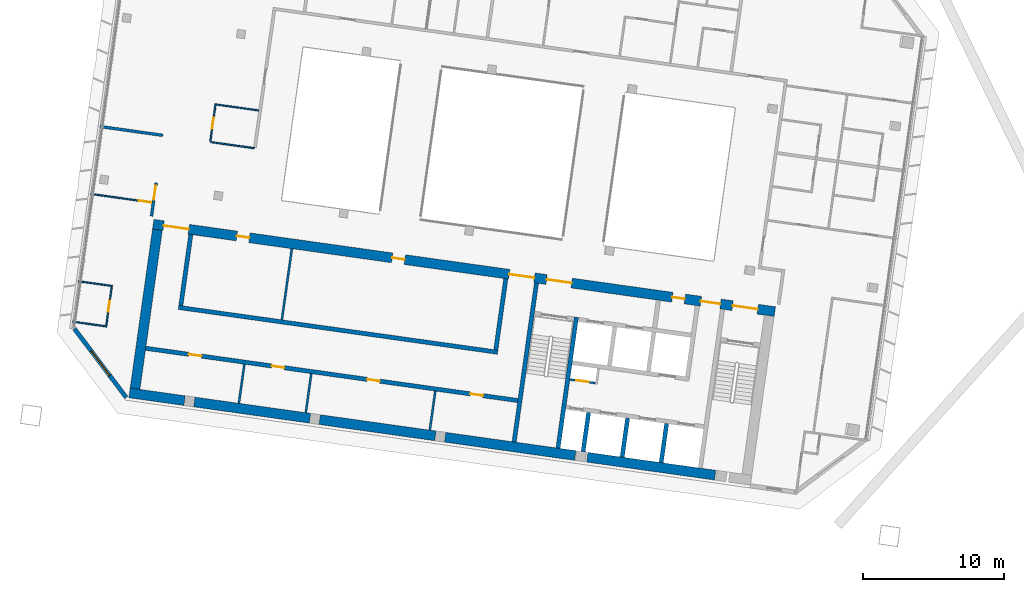
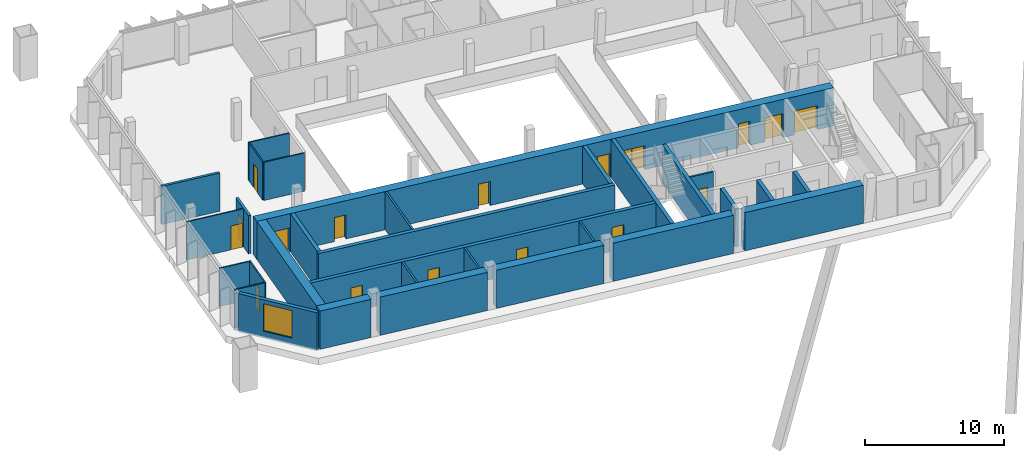
# One storey, part 16 of 26: 31 walls, 17 doors, 1 window, 18 openings.
"""IFC4 building model written with IfcOpenShell, lengths in metres."""

from ifc_helpers import new_model, si_unit, direction, frame, frame_2d, origin, place, context, subcontext, project, spatial, rectangle, extrude, material, layer, layer_set, type_object, element, fill, save


model = new_model("IFC4")

# Units and contexts
model_context = context("Model", 3, precision=1e-05, world=origin(), true_north=direction((0.0, 1.0)))
body_context = subcontext(model_context, "Body", "Model", "MODEL_VIEW")
ifc_project = project(units=[si_unit("LENGTHUNIT", "METRE"), si_unit("AREAUNIT", "SQUARE_METRE"), si_unit("VOLUMEUNIT", "CUBIC_METRE"), si_unit("PLANEANGLEUNIT", "RADIAN"), si_unit("MASSUNIT", "GRAM", prefix="KILO")], contexts=[model_context])

# Site, building, storey
site_placement = place(None, origin())
site = spatial("IfcSite", under=ifc_project, at=site_placement, CompositionType="ELEMENT")
building_placement = place(site_placement, origin())
building = spatial("IfcBuilding", under=site, at=building_placement, Name="Mirante Cascada Hotel Towers", CompositionType="ELEMENT")
storey_placement = place(building_placement, frame((0.0, 0.0, 203.0)))
storey = spatial("IfcBuildingStorey", under=building, at=storey_placement, Name="L48", CompositionType="ELEMENT", Elevation=203.0)

# Wall
ifc_material_1 = material(Name="Fire-rated plasterboard on metal studs")
ifc_layer_1 = layer(ifc_material_1, 0.2)
ifc_layer_set_1 = layer_set([ifc_layer_1], Name="Compartment wall 200 EI 120")
wall_type_1 = type_object("IfcWallType", Name="Compartment wall 200 EI 120", PredefinedType="PARTITIONING", material=ifc_layer_set_1)
wall_1_placement = place(storey_placement, frame((-83.4745, 5.5153, 0.0), z_axis=(0.0, 0.0, 1.0), x_axis=(0.9902705, -0.1391561, 0.0)))
element("IfcWall", 1, at=wall_1_placement, inside=storey, type_object=wall_type_1, Name="Wall 1-L48-10", PredefinedType="PARTITIONING", context=body_context, shape_type="SweptSolid", body=[
    extrude(rectangle(XDim=4.5, YDim=0.2, at=frame_2d((2.25, 0.0))), origin(), (0.0, 0.0, 1.0), 3.35),
])

# Wall, opening, door
wall_2_placement = place(storey_placement, frame((-79.8255, -0.8545, 0.0), z_axis=(0.0, 0.0, 1.0), x_axis=(0.1391635, 0.9902694, 0.0)))
wall_2 = element("IfcWall", 2, at=wall_2_placement, inside=storey, type_object=wall_type_1, Name="Wall 1-L48-55", PredefinedType="PARTITIONING", context=body_context, shape_type="SweptSolid", body=[
    extrude(rectangle(XDim=2.4001, YDim=0.2, at=frame_2d((1.2, 0.0))), origin(), (0.0, 0.0, 1.0), 3.35),
])
opening_1_placement = place(wall_2_placement, frame((1.1833, 0.0, 0.0)))
opening_1 = element("IfcOpeningElement", 3, at=opening_1_placement, cuts=wall_2, Name="Opening D1-L48-33", PredefinedType="OPENING", context=body_context, shape_type="SweptSolid", body=[
    extrude(rectangle(XDim=1.0, YDim=2.1, at=frame_2d((0.5, 1.05))), frame((0.0, 0.1, 0.0), z_axis=(0.0, -1.0, 0.0), x_axis=(1.0, 0.0, 0.0)), (0.0, 0.0, 1.0), 0.2),
])
ifc_material_2 = material(Name="Fire-rated timber door leaf", Category="wood")
door_type_1 = type_object("IfcDoorType", Name="Entrance door DG1 1000x2100 EI 60", OperationType="SINGLE_SWING_LEFT", PredefinedType="DOOR", material=ifc_material_2)
door_1_placement = place(opening_1_placement, origin())
door_1 = element("IfcDoor", 4, at=door_1_placement, inside=storey, type_object=door_type_1, Name="Door D1-L48-33", OperationType="SINGLE_SWING_LEFT", OverallHeight=2.1, OverallWidth=1.0, PredefinedType="DOOR", context=body_context, shape_type="SweptSolid", body=[
    extrude(rectangle(XDim=1.0, YDim=2.1, at=frame_2d((0.5, 1.05))), frame((0.0, 0.025, 0.0), z_axis=(0.0, -1.0, 0.0), x_axis=(1.0, 0.0, 0.0)), (0.0, 0.0, 1.0), 0.05),
])
fill(opening_1, door_1)

ifc_material_3 = material(Name="Masonry block", Category="masonry")
ifc_layer_2 = layer(ifc_material_3, 0.15)
ifc_layer_set_2 = layer_set([ifc_layer_2], Name="Core room partition 150 block EI 30")
wall_type_2 = type_object("IfcWallType", Name="Core room partition 150 block EI 30", PredefinedType="PARTITIONING", material=ifc_layer_set_2)
wall_3_placement = place(storey_placement, frame((-48.2933, -12.7083, 0.0), z_axis=(0.0, 0.0, 1.0), x_axis=(-0.990268, 0.1391734, 0.0)))
wall_3 = element("IfcWall", 5, at=wall_3_placement, inside=storey, type_object=wall_type_2, Name="Core wall partition T1 L48 3", PredefinedType="PARTITIONING", context=body_context, shape_type="SweptSolid", body=[
    extrude(rectangle(XDim=1.8251, YDim=0.15, at=frame_2d((0.9126, 0.0))), origin(), (0.0, 0.0, 1.0), 3.35),
])
opening_2_placement = place(wall_3_placement, frame((0.4625, 0.0, 0.0)))
opening_2 = element("IfcOpeningElement", 6, at=opening_2_placement, cuts=wall_3, Name="Opening D1-48-C15", PredefinedType="OPENING", context=body_context, shape_type="SweptSolid", body=[
    extrude(rectangle(XDim=0.9, YDim=2.1, at=frame_2d((0.45, 1.05))), frame((0.0, 0.075, 0.0), z_axis=(0.0, -1.0, 0.0), x_axis=(1.0, 0.0, 0.0)), (0.0, 0.0, 1.0), 0.15),
])
ifc_material_4 = material(Name="Hollow metal fire door leaf")
door_type_2 = type_object("IfcDoorType", Name="Fire door 900x2100 FD60", OperationType="NOTDEFINED", PredefinedType="DOOR", material=ifc_material_4)
door_2_placement = place(opening_2_placement, origin())
door_2 = element("IfcDoor", 7, at=door_2_placement, inside=storey, type_object=door_type_2, Name="Riser door T1 L48 15", OperationType="SINGLE_SWING_LEFT", OverallHeight=2.1, OverallWidth=0.9, PredefinedType="DOOR", context=body_context, shape_type="SweptSolid", body=[
    extrude(rectangle(XDim=0.9, YDim=2.1, at=frame_2d((0.45, 1.05))), frame((0.0, 0.025, 0.0), z_axis=(0.0, -1.0, 0.0), x_axis=(1.0, 0.0, 0.0)), (0.0, 0.0, 1.0), 0.05),
])
fill(opening_2, door_2)

# Walls
wall_4_placement = place(storey_placement, frame((-60.0485, -16.0548, 0.0), z_axis=(0.0, 0.0, 1.0), x_axis=(0.139181, 0.990267, 0.0)))
element("IfcWall", 8, at=wall_4_placement, inside=storey, type_object=wall_type_2, Name="Core wall partition T1 L48 5", PredefinedType="PARTITIONING", context=body_context, shape_type="SweptSolid", body=[
    extrude(rectangle(XDim=2.8, YDim=0.15, at=frame_2d((1.4, 0.0))), origin(), (0.0, 0.0, 1.0), 3.35),
])
for number, where, z_axis, x_axis, name in (
    (9, (-68.8619, -14.8162, 0.0), (0.0, 0.0, 1.0), (0.139176, 0.9902677, 0.0), "Core wall partition T1 L48 6"),
    (10, (-73.6152, -14.1482, 0.0), (0.0, 0.0, 1.0), (0.139176, 0.9902677, 0.0), "Core wall partition T1 L48 7"),
):
    element("IfcWall", number, at=place(storey_placement, frame(where, z_axis=z_axis, x_axis=x_axis)), inside=storey, type_object=wall_type_2, Name=name, PredefinedType="PARTITIONING", context=body_context, shape_type="SweptSolid", body=[
        extrude(rectangle(XDim=2.8001, YDim=0.15, at=frame_2d((1.4, 0.0))), origin(), (0.0, 0.0, 1.0), 3.35),
    ])
wall_5_placement = place(storey_placement, frame((-70.5598, -8.2157, 0.0), z_axis=(0.0, 0.0, 1.0), x_axis=(0.1391755, 0.9902677, 0.0)))
element("IfcWall", 11, at=wall_5_placement, inside=storey, type_object=wall_type_2, Name="Core wall partition T1 L48 8", PredefinedType="PARTITIONING", context=body_context, shape_type="SweptSolid", body=[
    extrude(rectangle(XDim=5.1, YDim=0.15, at=frame_2d((2.55, 0.0))), origin(), (0.0, 0.0, 1.0), 3.35),
])

# Wall, openings, doors
ifc_material_5 = material(Name="Masonry block", Category="masonry")
ifc_layer_3 = layer(ifc_material_5, 0.3)
ifc_layer_set_3 = layer_set([ifc_layer_3], Name="Core wall 300 block EI 120")
wall_type_3 = type_object("IfcWallType", Name="Core wall 300 block EI 120", PredefinedType="PARTITIONING", material=ifc_layer_set_3)
wall_6_placement = place(storey_placement, frame((-53.7953, -13.9547, 0.0), z_axis=(0.0, 0.0, 1.0), x_axis=(-0.9902677, 0.1391758, 0.0)))
wall_6 = element("IfcWall", 12, at=wall_6_placement, inside=storey, type_object=wall_type_3, Name="Core wall partition T1 L48 4", PredefinedType="PARTITIONING", context=body_context, shape_type="SweptSolid", body=[
    extrude(rectangle(XDim=26.7001, YDim=0.3, at=frame_2d((13.35, 0.0))), origin(), (0.0, 0.0, 1.0), 3.35),
])
opening_3_placement = place(wall_6_placement, frame((2.5, 0.0, 0.0)))
opening_3 = element("IfcOpeningElement", 13, at=opening_3_placement, cuts=wall_6, Name="Opening D1-48-C17", PredefinedType="OPENING", context=body_context, shape_type="SweptSolid", body=[
    extrude(rectangle(XDim=0.9, YDim=2.1, at=frame_2d((0.45, 1.05))), frame((0.0, 0.15, 0.0), z_axis=(0.0, -1.0, 0.0), x_axis=(1.0, 0.0, 0.0)), (0.0, 0.0, 1.0), 0.3),
])
opening_4_placement = place(wall_6_placement, frame((9.9, 0.0, 0.0)))
opening_4 = element("IfcOpeningElement", 14, at=opening_4_placement, cuts=wall_6, Name="Opening D1-48-C18", PredefinedType="OPENING", context=body_context, shape_type="SweptSolid", body=[
    extrude(rectangle(XDim=0.9, YDim=2.1, at=frame_2d((0.45, 1.05))), frame((0.0, 0.15, 0.0), z_axis=(0.0, -1.0, 0.0), x_axis=(1.0, 0.0, 0.0)), (0.0, 0.0, 1.0), 0.3),
])
opening_5_placement = place(wall_6_placement, frame((16.75, 0.0, 0.0)))
opening_5 = element("IfcOpeningElement", 15, at=opening_5_placement, cuts=wall_6, Name="Opening D1-48-C19", PredefinedType="OPENING", context=body_context, shape_type="SweptSolid", body=[
    extrude(rectangle(XDim=0.9, YDim=2.1, at=frame_2d((0.45, 1.05))), frame((0.0, 0.15, 0.0), z_axis=(0.0, -1.0, 0.0), x_axis=(1.0, 0.0, 0.0)), (0.0, 0.0, 1.0), 0.3),
])
opening_6_placement = place(wall_6_placement, frame((22.7, 0.0, 0.0)))
opening_6 = element("IfcOpeningElement", 16, at=opening_6_placement, cuts=wall_6, Name="Opening D1-48-C20", PredefinedType="OPENING", context=body_context, shape_type="SweptSolid", body=[
    extrude(rectangle(XDim=0.9, YDim=2.1, at=frame_2d((0.45, 1.05))), frame((0.0, 0.15, 0.0), z_axis=(0.0, -1.0, 0.0), x_axis=(1.0, 0.0, 0.0)), (0.0, 0.0, 1.0), 0.3),
])
door_3_placement = place(opening_3_placement, origin())
door_3 = element("IfcDoor", 17, at=door_3_placement, inside=storey, type_object=door_type_2, Name="Room door T1 L48 17", OperationType="SINGLE_SWING_RIGHT", OverallHeight=2.1, OverallWidth=0.9, PredefinedType="DOOR", context=body_context, shape_type="SweptSolid", body=[
    extrude(rectangle(XDim=0.9, YDim=2.1, at=frame_2d((0.45, 1.05))), frame((0.0, 0.025, 0.0), z_axis=(0.0, -1.0, 0.0), x_axis=(1.0, 0.0, 0.0)), (0.0, 0.0, 1.0), 0.05),
])
fill(opening_3, door_3)
door_4_placement = place(opening_4_placement, origin())
door_4 = element("IfcDoor", 18, at=door_4_placement, inside=storey, type_object=door_type_2, Name="Room door T1 L48 18", OperationType="SINGLE_SWING_RIGHT", OverallHeight=2.1, OverallWidth=0.9, PredefinedType="DOOR", context=body_context, shape_type="SweptSolid", body=[
    extrude(rectangle(XDim=0.9, YDim=2.1, at=frame_2d((0.45, 1.05))), frame((0.0, 0.025, 0.0), z_axis=(0.0, -1.0, 0.0), x_axis=(1.0, 0.0, 0.0)), (0.0, 0.0, 1.0), 0.05),
])
fill(opening_4, door_4)
door_5_placement = place(opening_5_placement, origin())
door_5 = element("IfcDoor", 19, at=door_5_placement, inside=storey, type_object=door_type_2, Name="Room door T1 L48 19", OperationType="SINGLE_SWING_LEFT", OverallHeight=2.1, OverallWidth=0.9, PredefinedType="DOOR", context=body_context, shape_type="SweptSolid", body=[
    extrude(rectangle(XDim=0.9, YDim=2.1, at=frame_2d((0.45, 1.05))), frame((0.0, 0.025, 0.0), z_axis=(0.0, -1.0, 0.0), x_axis=(1.0, 0.0, 0.0)), (0.0, 0.0, 1.0), 0.05),
])
fill(opening_5, door_5)
door_6_placement = place(opening_6_placement, origin())
door_6 = element("IfcDoor", 20, at=door_6_placement, inside=storey, type_object=door_type_2, Name="Room door T1 L48 20", OperationType="SINGLE_SWING_LEFT", OverallHeight=2.1, OverallWidth=0.9, PredefinedType="DOOR", context=body_context, shape_type="SweptSolid", body=[
    extrude(rectangle(XDim=0.9, YDim=2.1, at=frame_2d((0.45, 1.05))), frame((0.0, 0.025, 0.0), z_axis=(0.0, -1.0, 0.0), x_axis=(1.0, 0.0, 0.0)), (0.0, 0.0, 1.0), 0.05),
])
fill(opening_6, door_6)

# Walls
ifc_material_6 = material(Name="Plasterboard on metal studs")
ifc_layer_4 = layer(ifc_material_6, 0.1)
ifc_layer_set_4 = layer_set([ifc_layer_4], Name="Partition 100")
wall_type_4 = type_object("IfcWallType", Name="Partition 100", PredefinedType="PARTITIONING", material=ifc_layer_set_4)
for number, where, z_axis, x_axis, name in (
    (21, (-83.0958, -8.6755, 0.0), (0.0, 0.0, 1.0), (-0.9902653, 0.1391929, 0.0), "Wall 1-L48-03"),
    (22, (-85.0193, -5.4766, 0.0), (0.0, 0.0, 1.0), (0.9902653, -0.1391929, 0.0), "Wall 1-L48-04"),
):
    element("IfcWall", number, at=place(storey_placement, frame(where, z_axis=z_axis, x_axis=x_axis)), inside=storey, type_object=wall_type_4, Name=name, PredefinedType="PARTITIONING", context=body_context, shape_type="SweptSolid", body=[
        extrude(rectangle(XDim=2.35, YDim=0.1, at=frame_2d((1.175, 0.0))), origin(), (0.0, 0.0, 1.0), 3.35),
    ])

# Wall, opening, door
wall_7_placement = place(storey_placement, frame((-84.1471, 0.7291, 0.0), z_axis=(0.0, 0.0, 1.0), x_axis=(0.9902665, -0.1391841, 0.0)))
wall_7 = element("IfcWall", 23, at=wall_7_placement, inside=storey, type_object=wall_type_4, Name="Wall 1-L48-06", PredefinedType="PARTITIONING", context=body_context, shape_type="SweptSolid", body=[
    extrude(rectangle(XDim=4.3999, YDim=0.1, at=frame_2d((2.2, 0.0))), origin(), (0.0, 0.0, 1.0), 3.35),
])
opening_7_placement = place(wall_7_placement, frame((3.45, 0.0, 0.0)))
opening_7 = element("IfcOpeningElement", 24, at=opening_7_placement, cuts=wall_7, Name="Opening D1-L48-01", PredefinedType="OPENING", context=body_context, shape_type="SweptSolid", body=[
    extrude(rectangle(XDim=0.9, YDim=2.1, at=frame_2d((0.45, 1.05))), frame((0.0, 0.05, 0.0), z_axis=(0.0, -1.0, 0.0), x_axis=(1.0, 0.0, 0.0)), (0.0, 0.0, 1.0), 0.1),
])
ifc_material_7 = material(Name="Timber door leaf", Category="wood")
door_type_3 = type_object("IfcDoorType", Name="Room door DG3 900x2100", OperationType="SINGLE_SWING_LEFT", PredefinedType="DOOR", material=ifc_material_7)
door_7_placement = place(opening_7_placement, frame((0.9, 0.0, 0.0), z_axis=(0.0, 0.0, 1.0), x_axis=(-1.0, 0.0, 0.0)))
door_7 = element("IfcDoor", 25, at=door_7_placement, inside=storey, type_object=door_type_3, Name="Door D1-L48-01", OperationType="SINGLE_SWING_RIGHT", OverallHeight=2.1, OverallWidth=0.9, PredefinedType="DOOR", context=body_context, shape_type="SweptSolid", body=[
    extrude(rectangle(XDim=0.9, YDim=2.1, at=frame_2d((0.45, 1.05))), frame((0.0, 0.025, 0.0), z_axis=(0.0, -1.0, 0.0), x_axis=(1.0, 0.0, 0.0)), (0.0, 0.0, 1.0), 0.05),
])
fill(opening_7, door_7)

# Walls
wall_8_placement = place(storey_placement, frame((-72.5122, 3.9747, 0.0), z_axis=(0.0, 0.0, 1.0), x_axis=(-0.990268, 0.1391738, 0.0)))
element("IfcWall", 26, at=wall_8_placement, inside=storey, type_object=wall_type_4, Name="Wall 1-L48-09", PredefinedType="PARTITIONING", context=body_context, shape_type="SweptSolid", body=[
    extrude(rectangle(XDim=3.14, YDim=0.1, at=frame_2d((1.57, 0.0))), origin(), (0.0, 0.0, 1.0), 3.35),
])
wall_9_placement = place(storey_placement, frame((-72.2058, 6.6582, 0.0), z_axis=(0.0, 0.0, 1.0), x_axis=(-0.9902676, 0.1391765, 0.0)))
element("IfcWall", 27, at=wall_9_placement, inside=storey, type_object=wall_type_4, Name="Wall 1-L48-13", PredefinedType="PARTITIONING", context=body_context, shape_type="SweptSolid", body=[
    extrude(rectangle(XDim=3.15, YDim=0.1, at=frame_2d((1.575, 0.0))), origin(), (0.0, 0.0, 1.0), 3.35),
])

# Wall, opening, door
wall_10_placement = place(storey_placement, frame((-75.2825, 7.0401, 0.0), z_axis=(0.0, 0.0, 1.0), x_axis=(-0.1391918, -0.9902654, 0.0)))
wall_10 = element("IfcWall", 28, at=wall_10_placement, inside=storey, type_object=wall_type_4, Name="Wall 1-L48-54", PredefinedType="PARTITIONING", context=body_context, shape_type="SweptSolid", body=[
    extrude(rectangle(XDim=2.6, YDim=0.1, at=frame_2d((1.3, 0.0))), origin(), (0.0, 0.0, 1.0), 3.35),
])
opening_8_placement = place(wall_10_placement, frame((0.9, 0.0, 0.0)))
opening_8 = element("IfcOpeningElement", 29, at=opening_8_placement, cuts=wall_10, Name="Opening D1-L48-32", PredefinedType="OPENING", context=body_context, shape_type="SweptSolid", body=[
    extrude(rectangle(XDim=0.8, YDim=2.1, at=frame_2d((0.4, 1.05))), frame((0.0, 0.05, 0.0), z_axis=(0.0, -1.0, 0.0), x_axis=(1.0, 0.0, 0.0)), (0.0, 0.0, 1.0), 0.1),
])
ifc_material_8 = material(Name="Timber door leaf", Category="wood")
door_type_4 = type_object("IfcDoorType", Name="Bathroom door DG4 800x2100", OperationType="SINGLE_SWING_LEFT", PredefinedType="DOOR", material=ifc_material_8)
door_8_placement = place(opening_8_placement, frame((0.8, 0.0, 0.0), z_axis=(0.0, 0.0, 1.0), x_axis=(-1.0, 0.0, 0.0)))
door_8 = element("IfcDoor", 30, at=door_8_placement, inside=storey, type_object=door_type_4, Name="Door D1-L48-32", OperationType="SINGLE_SWING_RIGHT", OverallHeight=2.1, OverallWidth=0.8, PredefinedType="DOOR", context=body_context, shape_type="SweptSolid", body=[
    extrude(rectangle(XDim=0.8, YDim=2.1, at=frame_2d((0.4, 1.05))), frame((0.0, 0.025, 0.0), z_axis=(0.0, -1.0, 0.0), x_axis=(1.0, 0.0, 0.0)), (0.0, 0.0, 1.0), 0.05),
])
fill(opening_8, door_8)

wall_11_placement = place(storey_placement, frame((-82.6357, -5.7611, 0.0), z_axis=(0.0, 0.0, 1.0), x_axis=(-0.139167, -0.9902689, 0.0)))
wall_11 = element("IfcWall", 31, at=wall_11_placement, inside=storey, type_object=wall_type_4, Name="Wall 1-L48-56", PredefinedType="PARTITIONING", context=body_context, shape_type="SweptSolid", body=[
    extrude(rectangle(XDim=3.0, YDim=0.1, at=frame_2d((1.5, 0.0))), origin(), (0.0, 0.0, 1.0), 3.35),
])
opening_9_placement = place(wall_11_placement, frame((1.1, 0.0, 0.0)))
opening_9 = element("IfcOpeningElement", 32, at=opening_9_placement, cuts=wall_11, Name="Opening D1-L48-34", PredefinedType="OPENING", context=body_context, shape_type="SweptSolid", body=[
    extrude(rectangle(XDim=0.8, YDim=2.1, at=frame_2d((0.4, 1.05))), frame((0.0, 0.05, 0.0), z_axis=(0.0, -1.0, 0.0), x_axis=(1.0, 0.0, 0.0)), (0.0, 0.0, 1.0), 0.1),
])
door_9_placement = place(opening_9_placement, origin())
door_9 = element("IfcDoor", 33, at=door_9_placement, inside=storey, type_object=door_type_4, Name="Door D1-L48-34", OperationType="SINGLE_SWING_LEFT", OverallHeight=2.1, OverallWidth=0.8, PredefinedType="DOOR", context=body_context, shape_type="SweptSolid", body=[
    extrude(rectangle(XDim=0.8, YDim=2.1, at=frame_2d((0.4, 1.05))), frame((0.0, 0.025, 0.0), z_axis=(0.0, -1.0, 0.0), x_axis=(1.0, 0.0, 0.0)), (0.0, 0.0, 1.0), 0.05),
])
fill(opening_9, door_9)

# Wall, opening, window
ifc_material_9 = material(Name="Precast concrete C40/50", Category="concrete")
ifc_layer_5 = layer(ifc_material_9, 0.3)
ifc_layer_set_5 = layer_set([ifc_layer_5], Name="Precast concrete C40/50 cladding wall 300")
wall_type_5 = type_object("IfcWallType", Name="Precast concrete C40/50 cladding wall 300", PredefinedType="STANDARD", material=ifc_layer_set_5)
wall_12_placement = place(storey_placement, frame((-81.6175, -13.7366, 0.0), z_axis=(0.0, 0.0, 1.0), x_axis=(-0.6018141, 0.7986362, 0.0)))
wall_12 = element("IfcWall", 34, at=wall_12_placement, inside=storey, type_object=wall_type_5, Name="Corner cladding wall T1 L48 rear outer", PredefinedType="STANDARD", context=body_context, shape_type="SweptSolid", body=[
    extrude(rectangle(XDim=6.1157, YDim=0.3, at=frame_2d((3.0578, 0.0))), origin(), (0.0, 0.0, 1.0), 3.35),
])
opening_10_placement = place(wall_12_placement, frame((1.9578, 0.0, 0.6)))
opening_10 = element("IfcOpeningElement", 35, at=opening_10_placement, cuts=wall_12, Name="Opening W1-48-01", PredefinedType="OPENING", context=body_context, shape_type="SweptSolid", body=[
    extrude(rectangle(XDim=2.2, YDim=2.4, at=frame_2d((1.1, 1.2))), frame((0.0, 0.15, 0.0), z_axis=(0.0, -1.0, 0.0), x_axis=(1.0, 0.0, 0.0)), (0.0, 0.0, 1.0), 0.3),
])
ifc_material_10 = material(Name="Aluminium frame with clear double glazing", Category="aluminium")
window_type = type_object("IfcWindowType", Name="Corner suite window 2200x2400", PartitioningType="DOUBLE_PANEL_VERTICAL", PredefinedType="WINDOW", material=ifc_material_10)
window_placement = place(opening_10_placement, origin())
window = element("IfcWindow", 36, at=window_placement, inside=storey, type_object=window_type, Name="Window W1-48-01", OverallHeight=2.4, OverallWidth=2.2, PartitioningType="SINGLE_PANEL", PredefinedType="WINDOW", context=body_context, shape_type="SweptSolid", body=[
    extrude(rectangle(XDim=2.2, YDim=2.4, at=frame_2d((1.1, 1.2))), frame((0.0, 0.03, 0.0), z_axis=(0.0, -1.0, 0.0), x_axis=(1.0, 0.0, 0.0)), (0.0, 0.0, 1.0), 0.06),
])
fill(opening_10, window)

# Walls
ifc_material_11 = material(Name="Concrete C50/60", Category="concrete")
ifc_layer_6 = layer(ifc_material_11, 0.3)
ifc_layer_set_6 = layer_set([ifc_layer_6], Name="RC core wall 300 C50/60")
wall_type_6 = type_object("IfcWallType", Name="RC core wall 300 C50/60", PredefinedType="SHEAR", material=ifc_layer_set_6)
wall_13_placement = place(storey_placement, frame((-50.938, -17.3352, 0.0), z_axis=(0.0, 0.0, 1.0), x_axis=(0.1391706, 0.9902684, 0.0)))
element("IfcWall", 37, at=wall_13_placement, inside=storey, type_object=wall_type_6, Name="Core wall T1:L48:6", PredefinedType="SHEAR", context=body_context, shape_type="SweptSolid", body=[
    extrude(rectangle(XDim=9.4, YDim=0.3, at=frame_2d((4.7, 0.0))), origin(), (0.0, 0.0, 1.0), 3.35),
])
wall_14_placement = place(storey_placement, frame((-54.0574, -16.8968, 0.0), z_axis=(0.0, 0.0, 1.0), x_axis=(0.1391761, 0.9902677, 0.0)))
element("IfcWall", 38, at=wall_14_placement, inside=storey, type_object=wall_type_6, Name="Core wall T1:L48:7", PredefinedType="SHEAR", context=body_context, shape_type="SweptSolid", body=[
    extrude(rectangle(XDim=11.3999, YDim=0.3, at=frame_2d((5.7, 0.0))), origin(), (0.0, 0.0, 1.0), 3.35),
])
wall_15_placement = place(storey_placement, frame((-43.61, -18.3651, 0.0), z_axis=(0.0, 0.0, 1.0), x_axis=(0.1391459, 0.9902719, 0.0)))
element("IfcWall", 39, at=wall_15_placement, inside=storey, type_object=wall_type_6, Name="Core wall T1:L48:13", PredefinedType="SHEAR", context=body_context, shape_type="SweptSolid", body=[
    extrude(rectangle(XDim=2.7999, YDim=0.3, at=frame_2d((1.4, 0.0))), origin(), (0.0, 0.0, 1.0), 3.35),
])
wall_16_placement = place(storey_placement, frame((-46.3828, -17.9754, 0.0), z_axis=(0.0, 0.0, 1.0), x_axis=(0.139181, 0.990267, 0.0)))
element("IfcWall", 40, at=wall_16_placement, inside=storey, type_object=wall_type_6, Name="Core wall T1:L48:14", PredefinedType="SHEAR", context=body_context, shape_type="SweptSolid", body=[
    extrude(rectangle(XDim=2.8, YDim=0.3, at=frame_2d((1.4, 0.0))), origin(), (0.0, 0.0, 1.0), 3.35),
])
wall_17_placement = place(storey_placement, frame((-49.1555, -17.5857, 0.0), z_axis=(0.0, 0.0, 1.0), x_axis=(0.1391459, 0.9902719, 0.0)))
element("IfcWall", 41, at=wall_17_placement, inside=storey, type_object=wall_type_6, Name="Core wall T1:L48:15", PredefinedType="SHEAR", context=body_context, shape_type="SweptSolid", body=[
    extrude(rectangle(XDim=2.7999, YDim=0.3, at=frame_2d((1.4, 0.0))), origin(), (0.0, 0.0, 1.0), 3.35),
])
wall_18_placement = place(storey_placement, frame((-55.2315, -10.5214, 0.0), z_axis=(0.0, 0.0, 1.0), x_axis=(-0.9902678, 0.1391749, 0.0)))
element("IfcWall", 42, at=wall_18_placement, inside=storey, type_object=wall_type_6, Name="Core wall T1:L48:26", PredefinedType="SHEAR", context=body_context, shape_type="SweptSolid", body=[
    extrude(rectangle(XDim=22.9, YDim=0.3, at=frame_2d((11.45, 0.0))), origin(), (0.0, 0.0, 1.0), 3.35),
])
for number, where, z_axis, x_axis, name in (
    (43, (-55.3592, -10.352, 0.0), (0.0, 0.0, 1.0), (0.1391755, 0.9902677, 0.0), "Core wall T1:L48:27"),
    (44, (-77.7392, -7.2067, 0.0), (0.0, 0.0, 1.0), (0.1391755, 0.9902677, 0.0), "Core wall T1:L48:28"),
):
    element("IfcWall", number, at=place(storey_placement, frame(where, z_axis=z_axis, x_axis=x_axis)), inside=storey, type_object=wall_type_6, Name=name, PredefinedType="SHEAR", context=body_context, shape_type="SweptSolid", body=[
        extrude(rectangle(XDim=5.1, YDim=0.3, at=frame_2d((2.55, 0.0))), origin(), (0.0, 0.0, 1.0), 3.35),
    ])
ifc_material_12 = material(Name="Concrete C50/60", Category="concrete")
ifc_layer_7 = layer(ifc_material_12, 0.7)
ifc_layer_set_7 = layer_set([ifc_layer_7], Name="RC core wall 700 C50/60")
wall_type_7 = type_object("IfcWallType", Name="RC core wall 700 C50/60", PredefinedType="SHEAR", material=ifc_layer_set_7)
wall_19_placement = place(storey_placement, frame((-39.7773, -19.2572, 0.0), z_axis=(0.0, 0.0, 1.0), x_axis=(-0.9902678, 0.1391747, 0.0)))
element("IfcWall", 45, at=wall_19_placement, inside=storey, type_object=wall_type_7, Name="Core wall T1:L48:1.2", PredefinedType="SHEAR", context=body_context, shape_type="SweptSolid", body=[
    extrude(rectangle(XDim=9.1741, YDim=0.7, at=frame_2d((4.587, 0.0))), origin(), (0.0, 0.0, 1.0), 3.35),
])
wall_20_placement = place(storey_placement, frame((-49.7145, -17.8606, 0.0), z_axis=(0.0, 0.0, 1.0), x_axis=(-0.9902687, 0.1391683, 0.0)))
element("IfcWall", 46, at=wall_20_placement, inside=storey, type_object=wall_type_7, Name="Core wall T1:L48:1.3", PredefinedType="SHEAR", context=body_context, shape_type="SweptSolid", body=[
    extrude(rectangle(XDim=9.3347, YDim=0.7, at=frame_2d((4.6674, 0.0))), origin(), (0.0, 0.0, 1.0), 3.35),
])
for number, where, z_axis, x_axis, name in (
    (47, (-59.6516, -16.4641, 0.0), (0.0, 0.0, 1.0), (-0.990267, 0.139181, 0.0), "Core wall T1:L48:1.4"),
    (48, (-68.564, -15.2115, 0.0), (0.0, 0.0, 1.0), (-0.9902686, 0.1391692, 0.0), "Core wall T1:L48:1.5"),
):
    element("IfcWall", number, at=place(storey_placement, frame(where, z_axis=z_axis, x_axis=x_axis)), inside=storey, type_object=wall_type_7, Name=name, PredefinedType="SHEAR", context=body_context, shape_type="SweptSolid", body=[
        extrude(rectangle(XDim=8.3, YDim=0.7, at=frame_2d((4.15, 0.0))), origin(), (0.0, 0.0, 1.0), 3.35),
    ])
wall_21_placement = place(storey_placement, frame((-77.4764, -13.9589, 0.0), z_axis=(0.0, 0.0, 1.0), x_axis=(-0.9902694, 0.1391633, 0.0)))
element("IfcWall", 49, at=wall_21_placement, inside=storey, type_object=wall_type_7, Name="Core wall T1:L48:1.6", PredefinedType="SHEAR", context=body_context, shape_type="SweptSolid", body=[
    extrude(rectangle(XDim=3.95, YDim=0.7, at=frame_2d((1.975, 0.0))), origin(), (0.0, 0.0, 1.0), 3.35),
])

# Wall, openings, doors
wall_22_placement = place(storey_placement, frame((-35.538, -7.6341, 0.0), z_axis=(0.0, 0.0, 1.0), x_axis=(-0.9902682, 0.1391725, 0.0)))
wall_22 = element("IfcWall", 50, at=wall_22_placement, inside=storey, type_object=wall_type_7, Name="Core wall T1:L48:2", PredefinedType="SHEAR", context=body_context, shape_type="SweptSolid", body=[
    extrude(rectangle(XDim=44.6, YDim=0.7, at=frame_2d((22.3, 0.0))), origin(), (0.0, 0.0, 1.0), 3.35),
])
opening_11_placement = place(wall_22_placement, frame((1.225, 0.0, 0.0)))
opening_11 = element("IfcOpeningElement", 51, at=opening_11_placement, cuts=wall_22, Name="Opening D1-48-C08", PredefinedType="OPENING", context=body_context, shape_type="SweptSolid", body=[
    extrude(rectangle(XDim=1.8, YDim=2.1, at=frame_2d((0.9, 1.05))), frame((0.0, 0.35, 0.0), z_axis=(0.0, -1.0, 0.0), x_axis=(1.0, 0.0, 0.0)), (0.0, 0.0, 1.0), 0.7),
])
opening_12_placement = place(wall_22_placement, frame((14.575, 0.0, 0.0)))
opening_12 = element("IfcOpeningElement", 52, at=opening_12_placement, cuts=wall_22, Name="Opening D1-48-C10", PredefinedType="OPENING", context=body_context, shape_type="SweptSolid", body=[
    extrude(rectangle(XDim=1.8, YDim=2.1, at=frame_2d((0.9, 1.05))), frame((0.0, 0.35, 0.0), z_axis=(0.0, -1.0, 0.0), x_axis=(1.0, 0.0, 0.0)), (0.0, 0.0, 1.0), 0.7),
])
opening_13_placement = place(wall_22_placement, frame((3.9, 0.0, 0.0)))
opening_13 = element("IfcOpeningElement", 53, at=opening_13_placement, cuts=wall_22, Name="Opening D1-48-C11", PredefinedType="OPENING", context=body_context, shape_type="SweptSolid", body=[
    extrude(rectangle(XDim=1.4, YDim=2.1, at=frame_2d((0.7, 1.05))), frame((0.0, 0.35, 0.0), z_axis=(0.0, -1.0, 0.0), x_axis=(1.0, 0.0, 0.0)), (0.0, 0.0, 1.0), 0.7),
])
opening_14_placement = place(wall_22_placement, frame((17.25, 0.0, 0.0)))
opening_14 = element("IfcOpeningElement", 54, at=opening_14_placement, cuts=wall_22, Name="Opening D1-48-C12", PredefinedType="OPENING", context=body_context, shape_type="SweptSolid", body=[
    extrude(rectangle(XDim=1.8, YDim=2.1, at=frame_2d((0.9, 1.05))), frame((0.0, 0.35, 0.0), z_axis=(0.0, -1.0, 0.0), x_axis=(1.0, 0.0, 0.0)), (0.0, 0.0, 1.0), 0.7),
])
opening_15_placement = place(wall_22_placement, frame((42.05, 0.0, 0.0)))
opening_15 = element("IfcOpeningElement", 55, at=opening_15_placement, cuts=wall_22, Name="Opening D1-48-C13", PredefinedType="OPENING", context=body_context, shape_type="SweptSolid", body=[
    extrude(rectangle(XDim=1.8, YDim=2.1, at=frame_2d((0.9, 1.05))), frame((0.0, 0.35, 0.0), z_axis=(0.0, -1.0, 0.0), x_axis=(1.0, 0.0, 0.0)), (0.0, 0.0, 1.0), 0.7),
])
opening_16_placement = place(wall_22_placement, frame((6.45, 0.0, 0.0)))
opening_16 = element("IfcOpeningElement", 56, at=opening_16_placement, cuts=wall_22, Name="Opening D1-48-C16", PredefinedType="OPENING", context=body_context, shape_type="SweptSolid", body=[
    extrude(rectangle(XDim=0.9, YDim=2.1, at=frame_2d((0.45, 1.05))), frame((0.0, 0.35, 0.0), z_axis=(0.0, -1.0, 0.0), x_axis=(1.0, 0.0, 0.0)), (0.0, 0.0, 1.0), 0.7),
])
opening_17_placement = place(wall_22_placement, frame((26.55, 0.0, 0.0)))
opening_17 = element("IfcOpeningElement", 57, at=opening_17_placement, cuts=wall_22, Name="Opening D1-48-C21", PredefinedType="OPENING", context=body_context, shape_type="SweptSolid", body=[
    extrude(rectangle(XDim=0.9, YDim=2.1, at=frame_2d((0.45, 1.05))), frame((0.0, 0.35, 0.0), z_axis=(0.0, -1.0, 0.0), x_axis=(1.0, 0.0, 0.0)), (0.0, 0.0, 1.0), 0.7),
])
opening_18_placement = place(wall_22_placement, frame((37.7, 0.0, 0.0)))
opening_18 = element("IfcOpeningElement", 58, at=opening_18_placement, cuts=wall_22, Name="Opening D1-48-C22", PredefinedType="OPENING", context=body_context, shape_type="SweptSolid", body=[
    extrude(rectangle(XDim=0.9, YDim=2.1, at=frame_2d((0.45, 1.05))), frame((0.0, 0.35, 0.0), z_axis=(0.0, -1.0, 0.0), x_axis=(1.0, 0.0, 0.0)), (0.0, 0.0, 1.0), 0.7),
])
ifc_material_13 = material(Name="Hollow metal fire door leaf")
door_type_5 = type_object("IfcDoorType", Name="Double fire door 1400x2100 FD60", OperationType="DOUBLE_DOOR_SINGLE_SWING", PredefinedType="DOOR", material=ifc_material_13)
door_10_placement = place(opening_13_placement, frame((1.4, 0.0, 0.0), z_axis=(0.0, 0.0, 1.0), x_axis=(-1.0, 0.0, 0.0)))
door_10 = element("IfcDoor", 59, at=door_10_placement, inside=storey, type_object=door_type_5, Name="Exit door to gallery T1 L48 11", OperationType="DOUBLE_DOOR_SINGLE_SWING", OverallHeight=2.1, OverallWidth=1.4, PredefinedType="DOOR", context=body_context, shape_type="SweptSolid", body=[
    extrude(rectangle(XDim=0.695, YDim=2.1, at=frame_2d((0.3475, 1.05))), frame((0.0, 0.025, 0.0), z_axis=(0.0, -1.0, 0.0), x_axis=(1.0, 0.0, 0.0)), (0.0, 0.0, 1.0), 0.05),
    extrude(rectangle(XDim=0.695, YDim=2.1, at=frame_2d((1.0525, 1.05))), frame((0.0, 0.025, 0.0), z_axis=(0.0, -1.0, 0.0), x_axis=(1.0, 0.0, 0.0)), (0.0, 0.0, 1.0), 0.05),
])
fill(opening_13, door_10)
ifc_material_14 = material(Name="Hollow metal fire door leaf")
door_type_6 = type_object("IfcDoorType", Name="Double fire door 1800x2100 FD60", OperationType="DOUBLE_DOOR_SINGLE_SWING", PredefinedType="DOOR", material=ifc_material_14)
door_11_placement = place(opening_11_placement, origin())
door_11 = element("IfcDoor", 60, at=door_11_placement, inside=storey, type_object=door_type_6, Name="Exit door to gallery T1 L48 8", OperationType="DOUBLE_DOOR_SINGLE_SWING", OverallHeight=2.1, OverallWidth=1.8, PredefinedType="DOOR", context=body_context, shape_type="SweptSolid", body=[
    extrude(rectangle(XDim=0.895, YDim=2.1, at=frame_2d((0.4475, 1.05))), frame((0.0, 0.025, 0.0), z_axis=(0.0, -1.0, 0.0), x_axis=(1.0, 0.0, 0.0)), (0.0, 0.0, 1.0), 0.05),
    extrude(rectangle(XDim=0.895, YDim=2.1, at=frame_2d((1.3525, 1.05))), frame((0.0, 0.025, 0.0), z_axis=(0.0, -1.0, 0.0), x_axis=(1.0, 0.0, 0.0)), (0.0, 0.0, 1.0), 0.05),
])
fill(opening_11, door_11)
door_12_placement = place(opening_12_placement, origin())
door_12 = element("IfcDoor", 61, at=door_12_placement, inside=storey, type_object=door_type_6, Name="Exit door to gallery T1 L48 10", OperationType="DOUBLE_DOOR_SINGLE_SWING", OverallHeight=2.1, OverallWidth=1.8, PredefinedType="DOOR", context=body_context, shape_type="SweptSolid", body=[
    extrude(rectangle(XDim=0.895, YDim=2.1, at=frame_2d((0.4475, 1.05))), frame((0.0, 0.025, 0.0), z_axis=(0.0, -1.0, 0.0), x_axis=(1.0, 0.0, 0.0)), (0.0, 0.0, 1.0), 0.05),
    extrude(rectangle(XDim=0.895, YDim=2.1, at=frame_2d((1.3525, 1.05))), frame((0.0, 0.025, 0.0), z_axis=(0.0, -1.0, 0.0), x_axis=(1.0, 0.0, 0.0)), (0.0, 0.0, 1.0), 0.05),
])
fill(opening_12, door_12)
door_13_placement = place(opening_14_placement, frame((1.8, 0.0, 0.0), z_axis=(0.0, 0.0, 1.0), x_axis=(-1.0, 0.0, 0.0)))
door_13 = element("IfcDoor", 62, at=door_13_placement, inside=storey, type_object=door_type_6, Name="Exit door to gallery T1 L48 12", OperationType="DOUBLE_DOOR_SINGLE_SWING", OverallHeight=2.1, OverallWidth=1.8, PredefinedType="DOOR", context=body_context, shape_type="SweptSolid", body=[
    extrude(rectangle(XDim=0.895, YDim=2.1, at=frame_2d((0.4475, 1.05))), frame((0.0, 0.025, 0.0), z_axis=(0.0, -1.0, 0.0), x_axis=(1.0, 0.0, 0.0)), (0.0, 0.0, 1.0), 0.05),
    extrude(rectangle(XDim=0.895, YDim=2.1, at=frame_2d((1.3525, 1.05))), frame((0.0, 0.025, 0.0), z_axis=(0.0, -1.0, 0.0), x_axis=(1.0, 0.0, 0.0)), (0.0, 0.0, 1.0), 0.05),
])
fill(opening_14, door_13)
door_14_placement = place(opening_15_placement, frame((1.8, 0.0, 0.0), z_axis=(0.0, 0.0, 1.0), x_axis=(-1.0, 0.0, 0.0)))
door_14 = element("IfcDoor", 63, at=door_14_placement, inside=storey, type_object=door_type_6, Name="Exit door to gallery T1 L48 13", OperationType="DOUBLE_DOOR_SINGLE_SWING", OverallHeight=2.1, OverallWidth=1.8, PredefinedType="DOOR", context=body_context, shape_type="SweptSolid", body=[
    extrude(rectangle(XDim=0.895, YDim=2.1, at=frame_2d((0.4475, 1.05))), frame((0.0, 0.025, 0.0), z_axis=(0.0, -1.0, 0.0), x_axis=(1.0, 0.0, 0.0)), (0.0, 0.0, 1.0), 0.05),
    extrude(rectangle(XDim=0.895, YDim=2.1, at=frame_2d((1.3525, 1.05))), frame((0.0, 0.025, 0.0), z_axis=(0.0, -1.0, 0.0), x_axis=(1.0, 0.0, 0.0)), (0.0, 0.0, 1.0), 0.05),
])
fill(opening_15, door_14)
door_15_placement = place(opening_16_placement, origin())
door_15 = element("IfcDoor", 64, at=door_15_placement, inside=storey, type_object=door_type_2, Name="Room door T1 L48 16", OperationType="SINGLE_SWING_RIGHT", OverallHeight=2.1, OverallWidth=0.9, PredefinedType="DOOR", context=body_context, shape_type="SweptSolid", body=[
    extrude(rectangle(XDim=0.9, YDim=2.1, at=frame_2d((0.45, 1.05))), frame((0.0, 0.025, 0.0), z_axis=(0.0, -1.0, 0.0), x_axis=(1.0, 0.0, 0.0)), (0.0, 0.0, 1.0), 0.05),
])
fill(opening_16, door_15)
door_16_placement = place(opening_17_placement, origin())
door_16 = element("IfcDoor", 65, at=door_16_placement, inside=storey, type_object=door_type_2, Name="Room door T1 L48 21", OperationType="SINGLE_SWING_LEFT", OverallHeight=2.1, OverallWidth=0.9, PredefinedType="DOOR", context=body_context, shape_type="SweptSolid", body=[
    extrude(rectangle(XDim=0.9, YDim=2.1, at=frame_2d((0.45, 1.05))), frame((0.0, 0.025, 0.0), z_axis=(0.0, -1.0, 0.0), x_axis=(1.0, 0.0, 0.0)), (0.0, 0.0, 1.0), 0.05),
])
fill(opening_17, door_16)
door_17_placement = place(opening_18_placement, origin())
door_17 = element("IfcDoor", 66, at=door_17_placement, inside=storey, type_object=door_type_2, Name="Room door T1 L48 22", OperationType="SINGLE_SWING_LEFT", OverallHeight=2.1, OverallWidth=0.9, PredefinedType="DOOR", context=body_context, shape_type="SweptSolid", body=[
    extrude(rectangle(XDim=0.9, YDim=2.1, at=frame_2d((0.45, 1.05))), frame((0.0, 0.025, 0.0), z_axis=(0.0, -1.0, 0.0), x_axis=(1.0, 0.0, 0.0)), (0.0, 0.0, 1.0), 0.05),
])
fill(opening_18, door_17)

# Wall
wall_23_placement = place(storey_placement, frame((-80.9927, -13.1113, 0.0), z_axis=(0.0, 0.0, 1.0), x_axis=(0.1391761, 0.9902677, 0.0)))
element("IfcWall", 67, at=wall_23_placement, inside=storey, type_object=wall_type_7, Name="Core wall T1:L48:4", PredefinedType="SHEAR", context=body_context, shape_type="SweptSolid", body=[
    extrude(rectangle(XDim=11.3999, YDim=0.7, at=frame_2d((5.7, 0.0))), origin(), (0.0, 0.0, 1.0), 3.35),
])

save(model, "model.ifc")
